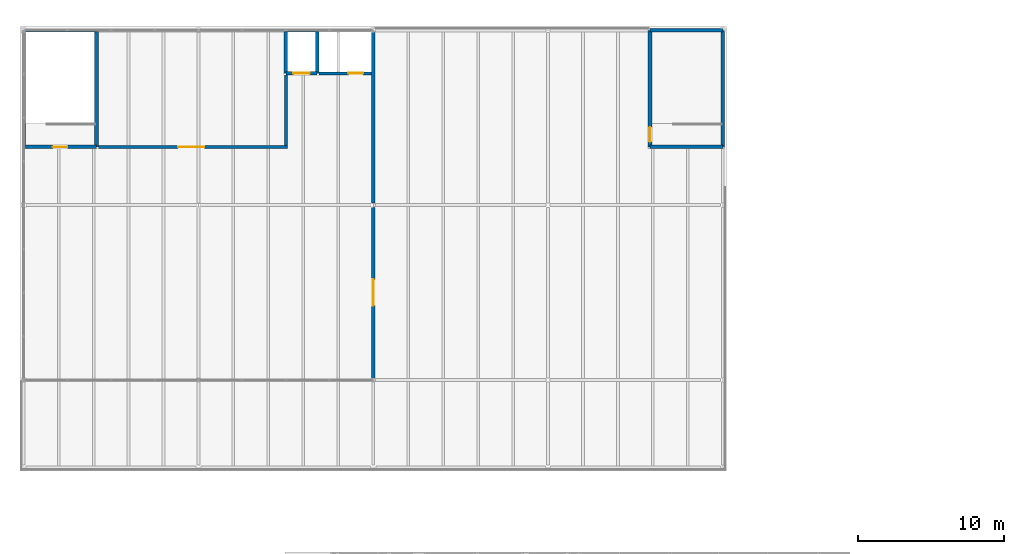
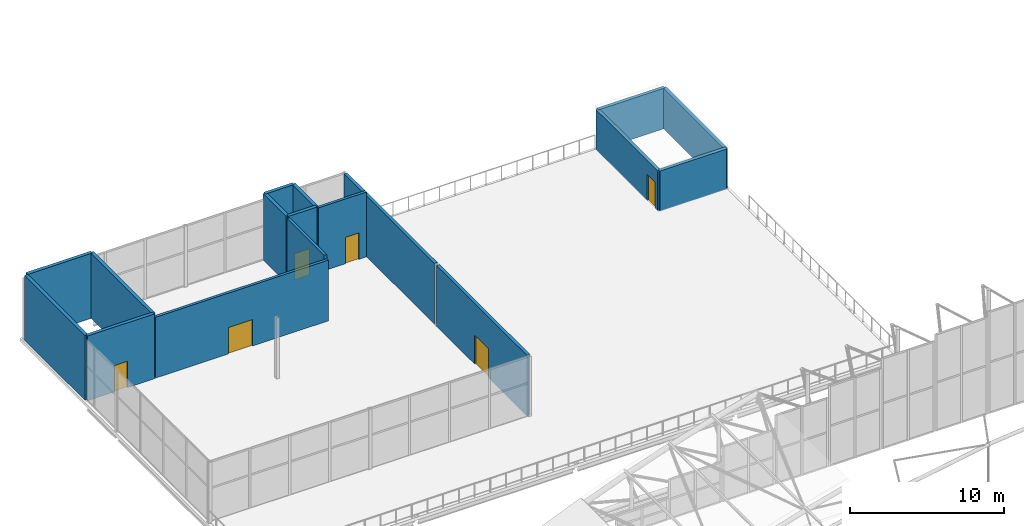
# One storey, part 259 of 321: 17 walls, 6 doors, 6 openings.
"""IFC4 building model written with IfcOpenShell, lengths in metres."""

from ifc_helpers import new_model, si_unit, direction, frame, frame_2d, origin, place, context, subcontext, project, spatial, rectangle, extrude, material, layer, layer_set, type_object, element, fill, save


model = new_model("IFC4")

# Units and contexts
model_context = context("Model", 3, precision=1e-05, world=origin(), true_north=direction((0.0, 1.0)))
body_context = subcontext(model_context, "Body", "Model", "MODEL_VIEW")
ifc_project = project(units=[si_unit("LENGTHUNIT", "METRE"), si_unit("AREAUNIT", "SQUARE_METRE"), si_unit("VOLUMEUNIT", "CUBIC_METRE"), si_unit("PLANEANGLEUNIT", "RADIAN"), si_unit("MASSUNIT", "GRAM", prefix="KILO")], contexts=[model_context])

# Site, building, storey
site_placement = place(None, origin())
site = spatial("IfcSite", under=ifc_project, at=site_placement, CompositionType="ELEMENT")
building_placement = place(site_placement, origin())
building = spatial("IfcBuilding", under=site, at=building_placement, Name="Ravi Spectrum Wholesale Market", CompositionType="ELEMENT")
storey_placement = place(building_placement, frame((0.0, 0.0, 10.800048828125)))
storey = spatial("IfcBuildingStorey", under=building, at=storey_placement, Name="L02", CompositionType="ELEMENT", Elevation=10.800048828125)

# Wall, opening, door
ifc_material_1 = material(Name="Concrete blockwork", Category="masonry")
ifc_layer_1 = layer(ifc_material_1, 0.199951171875)
ifc_layer_set_1 = layer_set([ifc_layer_1], Name="Concrete blockwork")
wall_type_1 = type_object("IfcWallType", Name="Blockwork partition 200 fire", PredefinedType="PARTITIONING", material=ifc_layer_set_1)
wall_1_placement = place(storey_placement, frame((17.125, 226.0, 0.0), z_axis=(0.0, 0.0, 1.0), x_axis=(1.0, 0.0, 0.0)))
wall_1 = element("IfcWall", 1, at=wall_1_placement, inside=storey, type_object=wall_type_1, Name="OF-WL-L02-011", PredefinedType="PARTITIONING", context=body_context, shape_type="SweptSolid", body=[
    extrude(rectangle(XDim=12.97509765625, YDim=0.199951171875, at=frame_2d((6.487548828125, 0.0))), origin(), (0.0, 0.0, 1.0), 4.829833984375),
])
opening_1_placement = place(wall_1_placement, frame((5.47509765625, 0.0, 0.0)))
opening_1 = element("IfcOpeningElement", 2, at=opening_1_placement, cuts=wall_1, Name="Opening D631", PredefinedType="OPENING", context=body_context, shape_type="SweptSolid", body=[
    extrude(rectangle(XDim=1.800048828125, YDim=2.10009765625, at=frame_2d((0.89990234375, 1.050048828125))), frame((0.0, 0.10986328125, 0.0), z_axis=(0.0, -1.0, 0.0), x_axis=(1.0, 0.0, 0.0)), (0.0, 0.0, 1.0), 0.219970703125),
])
ifc_material_2 = material(Name="Steel door", Category="steel")
door_type_1 = type_object("IfcDoorType", Name="Double leaf door 1800 x 2100", OperationType="DOUBLE_DOOR_SINGLE_SWING", PredefinedType="DOOR", material=ifc_material_2)
door_1_placement = place(opening_1_placement, origin())
door_1 = element("IfcDoor", 3, at=door_1_placement, inside=storey, type_object=door_type_1, Name="Door D631", OperationType="DOUBLE_DOOR_SINGLE_SWING", OverallHeight=2.10009765625, OverallWidth=1.800048828125, PredefinedType="DOOR", context=body_context, shape_type="SweptSolid", body=[
    extrude(rectangle(XDim=1.800048828125, YDim=2.10009765625, at=frame_2d((0.89990234375, 1.050048828125))), frame((0.0, 0.02490234375, 0.0), z_axis=(0.0, -1.0, 0.0), x_axis=(1.0, 0.0, 0.0)), (0.0, 0.0, 1.0), 0.050048828125),
])
fill(opening_1, door_1)

wall_2_placement = place(storey_placement, frame((32.27490234375, 231.050048828125, 0.0), z_axis=(0.0, 0.0, 1.0), x_axis=(1.0, 0.0, 0.0)))
wall_2 = element("IfcWall", 4, at=wall_2_placement, inside=storey, type_object=wall_type_1, Name="OF-WL-L02-012", PredefinedType="PARTITIONING", context=body_context, shape_type="SweptSolid", body=[
    extrude(rectangle(XDim=3.610107421875, YDim=0.199951171875, at=frame_2d((1.80517578125, 0.0))), origin(), (0.0, 0.0, 1.0), 5.14990234375),
])
opening_2_placement = place(wall_2_placement, frame((2.02490234375, 0.0, 0.0)))
opening_2 = element("IfcOpeningElement", 5, at=opening_2_placement, cuts=wall_2, Name="Opening D633", PredefinedType="OPENING", context=body_context, shape_type="SweptSolid", body=[
    extrude(rectangle(XDim=1.0, YDim=2.10009765625, at=frame_2d((0.5, 1.050048828125))), frame((0.0, 0.10986328125, 0.0), z_axis=(0.0, -1.0, 0.0), x_axis=(1.0, 0.0, 0.0)), (0.0, 0.0, 1.0), 0.219970703125),
])
ifc_material_3 = material(Name="Steel door", Category="steel")
door_type_2 = type_object("IfcDoorType", Name="Plant room door 1000 x 2100", OperationType="SINGLE_SWING_LEFT", PredefinedType="DOOR", material=ifc_material_3)
door_2_placement = place(opening_2_placement, origin())
door_2 = element("IfcDoor", 6, at=door_2_placement, inside=storey, type_object=door_type_2, Name="Riser access door D633", OperationType="SINGLE_SWING_LEFT", OverallHeight=2.10009765625, OverallWidth=1.0, PredefinedType="DOOR", context=body_context, shape_type="SweptSolid", body=[
    extrude(rectangle(XDim=1.0, YDim=2.10009765625, at=frame_2d((0.5, 1.050048828125))), frame((0.0, 0.02490234375, 0.0), z_axis=(0.0, -1.0, 0.0), x_axis=(1.0, 0.0, 0.0)), (0.0, 0.0, 1.0), 0.050048828125),
])
fill(opening_2, door_2)

# Wall
wall_3_placement = place(storey_placement, frame((30.0, 226.10009765625, 0.0), z_axis=(0.0, 0.0, 1.0), x_axis=(0.0, 1.0, 0.0)))
element("IfcWall", 7, at=wall_3_placement, inside=storey, type_object=wall_type_1, Name="OF-WL-L02-013", PredefinedType="PARTITIONING", context=body_context, shape_type="SweptSolid", body=[
    extrude(rectangle(XDim=4.824951171875, YDim=0.199951171875, at=frame_2d((2.41259765625, 0.0))), origin(), (0.0, 0.0, 1.0), 5.14990234375),
])

# Wall, opening, door
ifc_material_4 = material(Name="Facing brickwork", Category="masonry")
ifc_layer_2 = layer(ifc_material_4, 0.22998046875)
ifc_layer_set_2 = layer_set([ifc_layer_2], Name="Facing brickwork")
wall_type_2 = type_object("IfcWallType", Name="Brick 230 facing", PredefinedType="SOLIDWALL", material=ifc_layer_set_2)
wall_4_placement = place(storey_placement, frame((36.0, 210.114990234375, 0.0), z_axis=(0.0, 0.0, 1.0), x_axis=(0.0, 1.0, 0.0)))
wall_4 = element("IfcWall", 8, at=wall_4_placement, inside=storey, type_object=wall_type_2, Name="OF-WL-L02-009", PredefinedType="SOLIDWALL", context=body_context, shape_type="SweptSolid", body=[
    extrude(rectangle(XDim=11.735107421875, YDim=0.22998046875, at=frame_2d((5.86767578125, 0.0))), origin(), (0.0, 0.0, 1.0), 4.820068359375),
])
opening_3_placement = place(wall_4_placement, frame((6.78515625, 0.0, 0.0), z_axis=(0.0, 0.0, 1.0), x_axis=(-1.0, 0.0, 0.0)))
opening_3 = element("IfcOpeningElement", 9, at=opening_3_placement, cuts=wall_4, Name="Opening D634", PredefinedType="OPENING", context=body_context, shape_type="SweptSolid", body=[
    extrude(rectangle(XDim=1.800048828125, YDim=2.300048828125, at=frame_2d((0.89990234375, 1.14990234375))), frame((0.0, 0.125, 0.0), z_axis=(0.0, -1.0, 0.0), x_axis=(1.0, 0.0, 0.0)), (0.0, 0.0, 1.0), 0.25),
])
ifc_material_5 = material(Name="Aluminium glazed door", Category="aluminium")
door_type_3 = type_object("IfcDoorType", Name="Deck door 1800 x 2300", OperationType="DOUBLE_DOOR_SINGLE_SWING", PredefinedType="DOOR", material=ifc_material_5)
door_3_placement = place(opening_3_placement, origin())
door_3 = element("IfcDoor", 10, at=door_3_placement, inside=storey, type_object=door_type_3, Name="Door D634", OperationType="DOUBLE_DOOR_SINGLE_SWING", OverallHeight=2.300048828125, OverallWidth=1.800048828125, PredefinedType="DOOR", context=body_context, shape_type="SweptSolid", body=[
    extrude(rectangle(XDim=1.800048828125, YDim=2.300048828125, at=frame_2d((0.89990234375, 1.14990234375))), frame((0.0, 0.02490234375, 0.0), z_axis=(0.0, -1.0, 0.0), x_axis=(1.0, 0.0, 0.0)), (0.0, 0.0, 1.0), 0.050048828125),
])
fill(opening_3, door_3)

# Wall
wall_5_placement = place(storey_placement, frame((36.0, 222.14990234375, 0.0), z_axis=(0.0, 0.0, 1.0), x_axis=(0.0, 1.0, 0.0)))
element("IfcWall", 11, at=wall_5_placement, inside=storey, type_object=wall_type_2, Name="OF-WL-L02-010", PredefinedType="SOLIDWALL", context=body_context, shape_type="SweptSolid", body=[
    extrude(rectangle(XDim=11.735107421875, YDim=0.22998046875, at=frame_2d((5.86767578125, 0.0))), origin(), (0.0, 0.0, 1.0), 4.820068359375),
])

# Wall, opening, door
ifc_material_6 = material(Name="Concrete C35/45", Category="concrete")
ifc_layer_3 = layer(ifc_material_6, 0.25)
ifc_layer_set_3 = layer_set([ifc_layer_3], Name="Concrete C35/45")
wall_type_3 = type_object("IfcWallType", Name="Concrete core wall 250", PredefinedType="SHEAR", material=ifc_layer_set_3)
wall_6_placement = place(storey_placement, frame((12.0, 226.0, 0.0), z_axis=(0.0, 0.0, 1.0), x_axis=(1.0, 0.0, 0.0)))
wall_6 = element("IfcWall", 12, at=wall_6_placement, inside=storey, type_object=wall_type_3, Name="Stair core wall Stair S-OF-1", PredefinedType="SHEAR", context=body_context, shape_type="SweptSolid", body=[
    extrude(rectangle(XDim=5.0, YDim=0.25, at=frame_2d((2.5, 0.0))), origin(), (0.0, 0.0, 1.0), 5.14990234375),
])
opening_4_placement = place(wall_6_placement, frame((2.0, 0.0, 0.0)))
opening_4 = element("IfcOpeningElement", 13, at=opening_4_placement, cuts=wall_6, Name="Opening D630", PredefinedType="OPENING", context=body_context, shape_type="SweptSolid", body=[
    extrude(rectangle(XDim=1.0, YDim=2.10009765625, at=frame_2d((0.5, 1.050048828125))), frame((0.0, 0.135009765625, 0.0), z_axis=(0.0, -1.0, 0.0), x_axis=(1.0, 0.0, 0.0)), (0.0, 0.0, 1.0), 0.27001953125),
])
ifc_material_7 = material(Name="Steel door", Category="steel")
door_type_4 = type_object("IfcDoorType", Name="Stair door 1000 x 2100", OperationType="SINGLE_SWING_LEFT", PredefinedType="DOOR", material=ifc_material_7)
door_4_placement = place(opening_4_placement, origin())
door_4 = element("IfcDoor", 14, at=door_4_placement, inside=storey, type_object=door_type_4, Name="Door D630", OperationType="SINGLE_SWING_RIGHT", OverallHeight=2.10009765625, OverallWidth=1.0, PredefinedType="DOOR", context=body_context, shape_type="SweptSolid", body=[
    extrude(rectangle(XDim=1.0, YDim=2.10009765625, at=frame_2d((0.5, 1.050048828125))), frame((0.0, 0.02490234375, 0.0), z_axis=(0.0, -1.0, 0.0), x_axis=(1.0, 0.0, 0.0)), (0.0, 0.0, 1.0), 0.050048828125),
])
fill(opening_4, door_4)

# Walls
wall_7_placement = place(storey_placement, frame((17.0, 226.0, 0.0), z_axis=(0.0, 0.0, 1.0), x_axis=(0.0, 1.0, 0.0)))
element("IfcWall", 15, at=wall_7_placement, inside=storey, type_object=wall_type_3, Name="Stair core wall Stair S-OF-1", PredefinedType="SHEAR", context=body_context, shape_type="SweptSolid", body=[
    extrude(rectangle(XDim=8.0, YDim=0.25, at=frame_2d((4.0, 0.0))), origin(), (0.0, 0.0, 1.0), 5.14990234375),
])
wall_8_placement = place(storey_placement, frame((12.1201171875, 234.0, 0.0), z_axis=(0.0, 0.0, 1.0), x_axis=(1.0, 0.0, 0.0)))
element("IfcWall", 16, at=wall_8_placement, inside=storey, type_object=wall_type_3, Name="Stair core wall Stair S-OF-1", PredefinedType="SHEAR", context=body_context, shape_type="SweptSolid", body=[
    extrude(rectangle(XDim=4.8798828125, YDim=0.25, at=frame_2d((2.43994140625, 0.0))), origin(), (0.0, 0.0, 1.0), 5.14990234375),
])
wall_9_placement = place(storey_placement, frame((12.0, 226.0, 0.0), z_axis=(0.0, 0.0, 1.0), x_axis=(0.0, 1.0, 0.0)))
element("IfcWall", 17, at=wall_9_placement, inside=storey, type_object=wall_type_3, Name="Stair core wall Stair S-OF-1", PredefinedType="SHEAR", context=body_context, shape_type="SweptSolid", body=[
    extrude(rectangle(XDim=7.8798828125, YDim=0.25, at=frame_2d((3.93994140625, 0.0))), origin(), (0.0, 0.0, 1.0), 5.14990234375),
])
wall_10_placement = place(storey_placement, frame((55.0, 226.0, 0.0), z_axis=(0.0, 0.0, 1.0), x_axis=(1.0, 0.0, 0.0)))
element("IfcWall", 18, at=wall_10_placement, inside=storey, type_object=wall_type_3, Name="Stair core wall Stair S-OF-2", PredefinedType="SHEAR", context=body_context, shape_type="SweptSolid", body=[
    extrude(rectangle(XDim=5.0, YDim=0.25, at=frame_2d((2.5, 0.0))), origin(), (0.0, 0.0, 1.0), 3.199951171875),
])
wall_11_placement = place(storey_placement, frame((60.0, 226.0, 0.0), z_axis=(0.0, 0.0, 1.0), x_axis=(0.0, 1.0, 0.0)))
element("IfcWall", 19, at=wall_11_placement, inside=storey, type_object=wall_type_3, Name="Stair core wall Stair S-OF-2", PredefinedType="SHEAR", context=body_context, shape_type="SweptSolid", body=[
    extrude(rectangle(XDim=8.0, YDim=0.25, at=frame_2d((4.0, 0.0))), origin(), (0.0, 0.0, 1.0), 3.199951171875),
])
wall_12_placement = place(storey_placement, frame((55.0, 234.0, 0.0), z_axis=(0.0, 0.0, 1.0), x_axis=(1.0, 0.0, 0.0)))
element("IfcWall", 20, at=wall_12_placement, inside=storey, type_object=wall_type_3, Name="Stair core wall Stair S-OF-2", PredefinedType="SHEAR", context=body_context, shape_type="SweptSolid", body=[
    extrude(rectangle(XDim=5.0, YDim=0.25, at=frame_2d((2.5, 0.0))), origin(), (0.0, 0.0, 1.0), 3.199951171875),
])

# Wall, opening, door
wall_13_placement = place(storey_placement, frame((55.0, 226.0, 0.0), z_axis=(0.0, 0.0, 1.0), x_axis=(0.0, 1.0, 0.0)))
wall_13 = element("IfcWall", 21, at=wall_13_placement, inside=storey, type_object=wall_type_3, Name="Stair core wall Stair S-OF-2", PredefinedType="SHEAR", context=body_context, shape_type="SweptSolid", body=[
    extrude(rectangle(XDim=8.0, YDim=0.25, at=frame_2d((4.0, 0.0))), origin(), (0.0, 0.0, 1.0), 3.199951171875),
])
opening_5_placement = place(wall_13_placement, frame((0.35009765625, 0.0, 0.0)))
opening_5 = element("IfcOpeningElement", 22, at=opening_5_placement, cuts=wall_13, Name="Opening D637", PredefinedType="OPENING", context=body_context, shape_type="SweptSolid", body=[
    extrude(rectangle(XDim=1.0, YDim=2.10009765625, at=frame_2d((0.5, 1.050048828125))), frame((0.0, 0.135009765625, 0.0), z_axis=(0.0, -1.0, 0.0), x_axis=(1.0, 0.0, 0.0)), (0.0, 0.0, 1.0), 0.27001953125),
])
door_5_placement = place(opening_5_placement, origin())
door_5 = element("IfcDoor", 23, at=door_5_placement, inside=storey, type_object=door_type_4, Name="Door D637", OperationType="SINGLE_SWING_LEFT", OverallHeight=2.10009765625, OverallWidth=1.0, PredefinedType="DOOR", context=body_context, shape_type="SweptSolid", body=[
    extrude(rectangle(XDim=1.0, YDim=2.10009765625, at=frame_2d((0.5, 1.050048828125))), frame((0.0, 0.02490234375, 0.0), z_axis=(0.0, -1.0, 0.0), x_axis=(1.0, 0.0, 0.0)), (0.0, 0.0, 1.0), 0.050048828125),
])
fill(opening_5, door_5)

# Walls
ifc_material_8 = material(Name="Concrete C35/45", Category="concrete")
ifc_layer_4 = layer(ifc_material_8, 0.25)
ifc_layer_set_4 = layer_set([ifc_layer_4], Name="Concrete C35/45")
wall_type_4 = type_object("IfcWallType", Name="Shaft wall 250", PredefinedType="SHEAR", material=ifc_layer_set_4)
wall_14_placement = place(storey_placement, frame((32.14990234375, 231.050048828125, 0.0), z_axis=(0.0, 0.0, 1.0), x_axis=(0.0, 1.0, 0.0)))
element("IfcWall", 24, at=wall_14_placement, inside=storey, type_object=wall_type_4, Name="OF-WL-L02-LF-OF-1-E", PredefinedType="SHEAR", context=body_context, shape_type="SweptSolid", body=[
    extrude(rectangle(XDim=2.949951171875, YDim=0.25, at=frame_2d((1.47509765625, 0.0))), origin(), (0.0, 0.0, 1.0), 5.280029296875),
])
wall_15_placement = place(storey_placement, frame((32.14990234375, 234.0, 0.0), z_axis=(0.0, 0.0, 1.0), x_axis=(-1.0, 0.0, 0.0)))
element("IfcWall", 25, at=wall_15_placement, inside=storey, type_object=wall_type_4, Name="OF-WL-L02-LF-OF-1-N", PredefinedType="SHEAR", context=body_context, shape_type="SweptSolid", body=[
    extrude(rectangle(XDim=2.14990234375, YDim=0.25, at=frame_2d((1.074951171875, 0.0))), origin(), (0.0, 0.0, 1.0), 5.280029296875),
])

# Wall, opening, door
wall_16_placement = place(storey_placement, frame((30.0, 231.050048828125, 0.0), z_axis=(0.0, 0.0, 1.0), x_axis=(1.0, 0.0, 0.0)))
wall_16 = element("IfcWall", 26, at=wall_16_placement, inside=storey, type_object=wall_type_4, Name="OF-WL-L02-LF-OF-1-S", PredefinedType="SHEAR", context=body_context, shape_type="SweptSolid", body=[
    extrude(rectangle(XDim=2.14990234375, YDim=0.25, at=frame_2d((1.074951171875, 0.0))), origin(), (0.0, 0.0, 1.0), 5.280029296875),
])
opening_6_placement = place(wall_16_placement, frame((0.52490234375, 0.0, 0.0)))
opening_6 = element("IfcOpeningElement", 27, at=opening_6_placement, cuts=wall_16, Name="Opening D640", PredefinedType="OPENING", context=body_context, shape_type="SweptSolid", body=[
    extrude(rectangle(XDim=1.10009765625, YDim=2.10009765625, at=frame_2d((0.550048828125, 1.050048828125))), frame((0.0, 0.135009765625, 0.0), z_axis=(0.0, -1.0, 0.0), x_axis=(1.0, 0.0, 0.0)), (0.0, 0.0, 1.0), 0.27001953125),
])
ifc_material_9 = material(Name="Stainless steel door", Category="steel")
door_type_5 = type_object("IfcDoorType", Name="Lift landing door 1100 x 2100", OperationType="SLIDING_TO_LEFT", PredefinedType="DOOR", material=ifc_material_9)
door_6_placement = place(opening_6_placement, origin())
door_6 = element("IfcDoor", 28, at=door_6_placement, inside=storey, type_object=door_type_5, Name="Landing door LF-OF-1 L02", OperationType="SLIDING_TO_LEFT", OverallHeight=2.10009765625, OverallWidth=1.10009765625, PredefinedType="DOOR", context=body_context, shape_type="SweptSolid", body=[
    extrude(rectangle(XDim=1.10009765625, YDim=2.10009765625, at=frame_2d((0.550048828125, 1.050048828125))), frame((0.0, 0.02490234375, 0.0), z_axis=(0.0, -1.0, 0.0), x_axis=(1.0, 0.0, 0.0)), (0.0, 0.0, 1.0), 0.050048828125),
])
fill(opening_6, door_6)

# Wall
wall_17_placement = place(storey_placement, frame((30.0, 234.0, 0.0), z_axis=(0.0, 0.0, 1.0), x_axis=(0.0, -1.0, 0.0)))
element("IfcWall", 29, at=wall_17_placement, inside=storey, type_object=wall_type_4, Name="OF-WL-L02-LF-OF-1-W", PredefinedType="SHEAR", context=body_context, shape_type="SweptSolid", body=[
    extrude(rectangle(XDim=2.949951171875, YDim=0.25, at=frame_2d((1.47509765625, 0.0))), origin(), (0.0, 0.0, 1.0), 5.280029296875),
])

save(model, "model.ifc")
